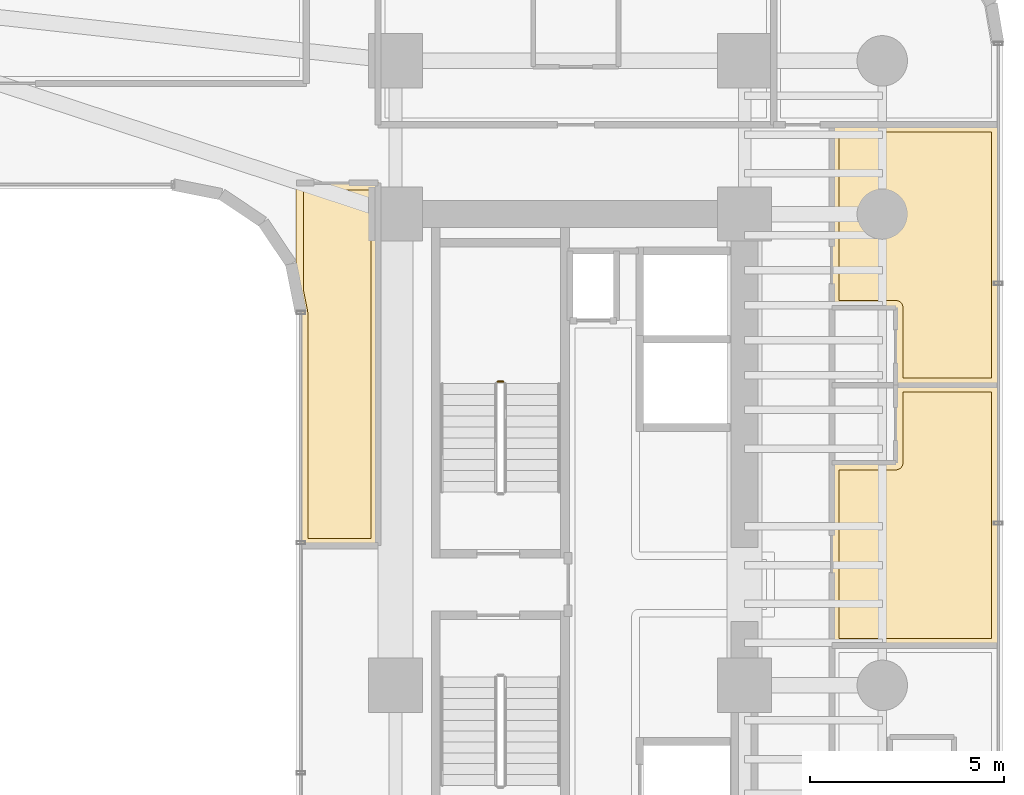
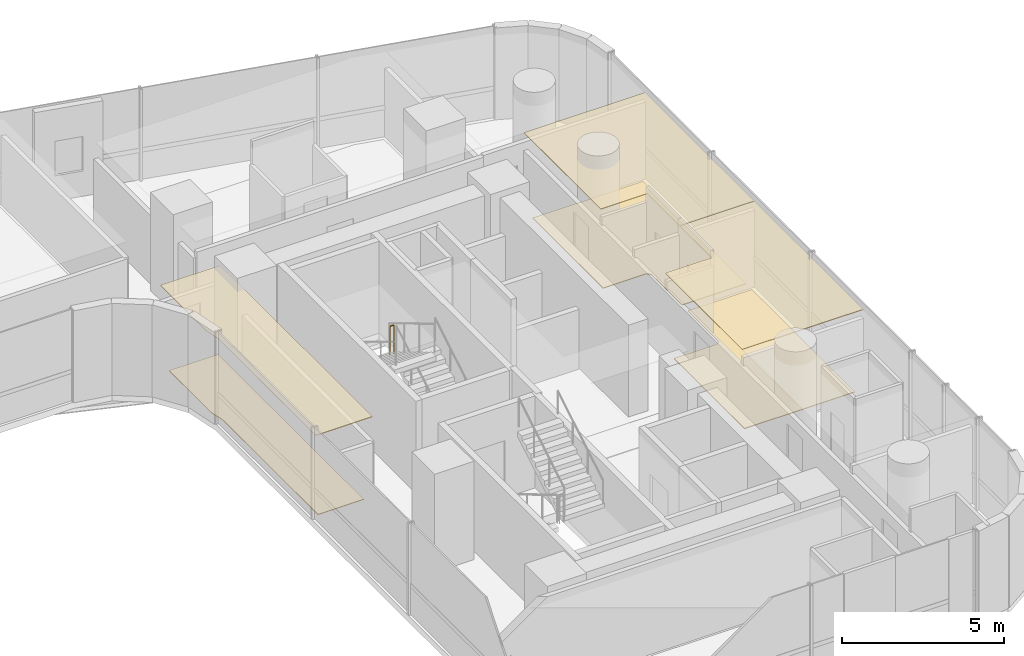
# One storey, part 40 of 41: 6 coverings, 1 railing.
"""IFC4 building model written with IfcOpenShell, lengths in metres."""

from ifc_helpers import new_model, si_unit, direction, frame, origin, origin_2d, place, context, subcontext, project, spatial, polyline, circle, outline, extrude, material, layer, layer_set, type_object, element, save


model = new_model("IFC4")

# Units and contexts
model_context = context("Model", 3, precision=1e-05, world=origin(), true_north=direction((0.0, 1.0)))
body_context = subcontext(model_context, "Body", "Model", "MODEL_VIEW")
ifc_project = project(units=[si_unit("LENGTHUNIT", "METRE"), si_unit("AREAUNIT", "SQUARE_METRE"), si_unit("VOLUMEUNIT", "CUBIC_METRE"), si_unit("PLANEANGLEUNIT", "RADIAN"), si_unit("MASSUNIT", "GRAM", prefix="KILO")], contexts=[model_context])

# Site, building, storey
site_placement = place(None, origin())
site = spatial("IfcSite", under=ifc_project, at=site_placement, CompositionType="ELEMENT")
building_placement = place(site_placement, origin())
building = spatial("IfcBuilding", under=site, at=building_placement, Name="Valdorenza Pilgrim Sanctuary Tower", CompositionType="ELEMENT")
storey_placement = place(building_placement, frame((0.0, 0.0, 63.0)))
storey = spatial("IfcBuildingStorey", under=building, at=storey_placement, Name="L15", CompositionType="ELEMENT", Elevation=63.0)

# Coverings
ifc_material_1 = material(Name="Micro-perforated acoustic mineral ceiling tile", Category="gypsum")
ifc_layer_1 = layer(ifc_material_1, 0.02490234375, Name="Micro-perforated acoustic mineral ceiling tile")
ifc_layer_set_1 = layer_set([ifc_layer_1], Name="Micro-perforated acoustic mineral ceiling tile")
covering_type_1 = type_object("IfcCoveringType", Name="COV-CLG-ACU", PredefinedType="CEILING", material=ifc_layer_set_1)
covering_1_placement = place(storey_placement, frame((0.0, 0.0, 3.159912109375)))
element("IfcCovering", 1, at=covering_1_placement, inside=storey, type_object=covering_type_1, Name="L15 East Sanctuary Guest Room L15-EG3 Acoustic Ceiling", PredefinedType="CEILING", context=body_context, shape_type="SweptSolid", body=[
    extrude(outline(polyline([(27.0849609375, 3.135986328125), (27.085205078125, 3.137451171875), (27.085205078125, 3.138916015625), (27.085693359375, 3.140380859375), (27.086181640625, 3.1416015625), (27.0869140625, 3.14306640625), (27.08740234375, 3.144287109375), (27.08837890625, 3.1455078125), (27.08935546875, 3.146484375), (27.090576171875, 3.147705078125), (27.091796875, 3.1484375), (27.093017578125, 3.149169921875), (27.09423828125, 3.14990234375), (27.095703125, 3.150390625), (27.09716796875, 3.150634765625), (27.098388671875, 3.15087890625), (27.10009765625, 3.15087890625), (28.737060546875, 3.15087890625), (28.737060546875, 5.137939453125), (28.737060546875, 5.139404296875), (28.7373046875, 5.140869140625), (28.737548828125, 5.142333984375), (28.738037109375, 5.143798828125), (28.73876953125, 5.14501953125), (28.739501953125, 5.146240234375), (28.740478515625, 5.1474609375), (28.741455078125, 5.148681640625), (28.742431640625, 5.149658203125), (28.74365234375, 5.150390625), (28.744873046875, 5.151123046875), (28.746337890625, 5.15185546875), (28.74755859375, 5.15234375), (28.7490234375, 5.152587890625), (28.75048828125, 5.15283203125), (28.751953125, 5.153076171875), (31.389892578125, 5.153076171875), (31.3916015625, 5.15283203125), (31.392822265625, 5.152587890625), (31.394287109375, 5.15234375), (31.395751953125, 5.15185546875), (31.397216796875, 5.151123046875), (31.398193359375, 5.150390625), (31.3994140625, 5.149658203125), (31.400634765625, 5.148681640625), (31.401611328125, 5.1474609375), (31.402587890625, 5.146240234375), (31.4033203125, 5.14501953125), (31.40380859375, 5.143798828125), (31.404296875, 5.142333984375), (31.40478515625, 5.140869140625), (31.40478515625, 5.139404296875), (31.405029296875, 5.137939453125), (31.405029296875, -1.572998046875), (31.40478515625, -1.574462890625), (31.40478515625, -1.575927734375), (31.404296875, -1.577392578125), (31.40380859375, -1.57861328125), (31.4033203125, -1.580078125), (31.402587890625, -1.581298828125), (31.401611328125, -1.58251953125), (31.400634765625, -1.58349609375), (31.3994140625, -1.584716796875), (31.398193359375, -1.58544921875), (31.397216796875, -1.586181640625), (31.395751953125, -1.5869140625), (31.394287109375, -1.58740234375), (31.392822265625, -1.587646484375), (31.3916015625, -1.587890625), (31.389892578125, -1.587890625), (27.10009765625, -1.587890625), (27.098388671875, -1.587890625), (27.09716796875, -1.587646484375), (27.095703125, -1.58740234375), (27.09423828125, -1.5869140625), (27.093017578125, -1.586181640625), (27.091796875, -1.58544921875), (27.090576171875, -1.584716796875), (27.08935546875, -1.58349609375), (27.08837890625, -1.58251953125), (27.08740234375, -1.581298828125), (27.0869140625, -1.580078125), (27.086181640625, -1.57861328125), (27.085693359375, -1.577392578125), (27.085205078125, -1.575927734375), (27.085205078125, -1.574462890625), (27.0849609375, -1.572998046875), (27.0849609375, 3.135986328125)])), origin(), (0.0, 0.0, 1.0), 0.025146484375),
])
covering_2_placement = place(storey_placement, frame((0.0, 0.0, 3.159912109375)))
element("IfcCovering", 2, at=covering_2_placement, inside=storey, type_object=covering_type_1, Name="L15 East Sanctuary Guest Room L15-EG4 Acoustic Ceiling", PredefinedType="CEILING", context=body_context, shape_type="SweptSolid", body=[
    extrude(outline(polyline([(28.737060546875, 7.125), (27.10009765625, 7.125), (27.098388671875, 7.125), (27.09716796875, 7.125244140625), (27.095703125, 7.12548828125), (27.09423828125, 7.126220703125), (27.093017578125, 7.126708984375), (27.091796875, 7.12744140625), (27.090576171875, 7.12841796875), (27.08935546875, 7.12939453125), (27.08837890625, 7.130615234375), (27.08740234375, 7.131591796875), (27.0869140625, 7.1328125), (27.086181640625, 7.13427734375), (27.085693359375, 7.135498046875), (27.085205078125, 7.13720703125), (27.085205078125, 7.138427734375), (27.0849609375, 7.139892578125), (27.0849609375, 11.847900390625), (27.085205078125, 11.849609375), (27.085205078125, 11.850830078125), (27.085693359375, 11.852294921875), (27.086181640625, 11.853759765625), (27.0869140625, 11.85498046875), (27.08740234375, 11.856201171875), (27.08837890625, 11.857421875), (27.08935546875, 11.858642578125), (27.090576171875, 11.859619140625), (27.091796875, 11.860595703125), (27.093017578125, 11.861083984375), (27.09423828125, 11.86181640625), (27.095703125, 11.8623046875), (27.09716796875, 11.86279296875), (27.098388671875, 11.86279296875), (27.10009765625, 11.863037109375), (31.389892578125, 11.863037109375), (31.3916015625, 11.86279296875), (31.392822265625, 11.86279296875), (31.394287109375, 11.8623046875), (31.395751953125, 11.86181640625), (31.397216796875, 11.861083984375), (31.398193359375, 11.860595703125), (31.3994140625, 11.859619140625), (31.400634765625, 11.858642578125), (31.401611328125, 11.857421875), (31.402587890625, 11.856201171875), (31.4033203125, 11.85498046875), (31.40380859375, 11.853759765625), (31.404296875, 11.852294921875), (31.40478515625, 11.850830078125), (31.40478515625, 11.849609375), (31.405029296875, 11.847900390625), (31.405029296875, 5.139892578125), (31.40478515625, 5.138427734375), (31.40478515625, 5.13720703125), (31.404296875, 5.135498046875), (31.40380859375, 5.13427734375), (31.4033203125, 5.1328125), (31.402587890625, 5.131591796875), (31.401611328125, 5.130615234375), (31.400634765625, 5.12939453125), (31.3994140625, 5.12841796875), (31.398193359375, 5.12744140625), (31.397216796875, 5.126708984375), (31.395751953125, 5.126220703125), (31.394287109375, 5.12548828125), (31.392822265625, 5.125244140625), (31.3916015625, 5.125), (31.389892578125, 5.125), (28.751953125, 5.125), (28.75048828125, 5.125), (28.7490234375, 5.125244140625), (28.74755859375, 5.12548828125), (28.746337890625, 5.126220703125), (28.744873046875, 5.126708984375), (28.74365234375, 5.12744140625), (28.742431640625, 5.12841796875), (28.741455078125, 5.12939453125), (28.740478515625, 5.130615234375), (28.739501953125, 5.131591796875), (28.73876953125, 5.1328125), (28.738037109375, 5.13427734375), (28.737548828125, 5.135498046875), (28.7373046875, 5.13720703125), (28.737060546875, 5.138427734375), (28.737060546875, 5.139892578125), (28.737060546875, 7.125)])), origin(), (0.0, 0.0, 1.0), 0.025146484375),
])
covering_3_placement = place(storey_placement, frame((0.0, 0.0, 3.159912109375)))
element("IfcCovering", 3, at=covering_3_placement, inside=storey, type_object=covering_type_1, Name="L15 Courtyard Overlook Salon L15 Acoustic Ceiling", PredefinedType="CEILING", context=body_context, shape_type="SweptSolid", body=[
    extrude(outline(polyline([(15.39990234375, 10.364990234375), (15.401611328125, 10.364990234375), (15.40283203125, 10.36474609375), (15.404296875, 10.364501953125), (15.40576171875, 10.364013671875), (15.406982421875, 10.36328125), (15.408203125, 10.362548828125), (15.409423828125, 10.361572265625), (15.41064453125, 10.360595703125), (15.41162109375, 10.359619140625), (15.41259765625, 10.3583984375), (15.4130859375, 10.357177734375), (15.413818359375, 10.355712890625), (15.414306640625, 10.3544921875), (15.414794921875, 10.352783203125), (15.414794921875, 10.3515625), (15.4150390625, 10.35009765625), (15.4150390625, 1.0), (15.414794921875, 0.99853515625), (15.414794921875, 0.9970703125), (15.414306640625, 0.99560546875), (15.413818359375, 0.994384765625), (15.4130859375, 0.992919921875), (15.41259765625, 0.99169921875), (15.41162109375, 0.990478515625), (15.41064453125, 0.989501953125), (15.409423828125, 0.98828125), (15.408203125, 0.987548828125), (15.406982421875, 0.98681640625), (15.40576171875, 0.986083984375), (15.404296875, 0.985595703125), (15.40283203125, 0.9853515625), (15.401611328125, 0.985107421875), (15.39990234375, 0.985107421875), (13.409912109375, 0.985107421875), (13.408447265625, 0.985107421875), (13.406982421875, 0.9853515625), (13.405517578125, 0.985595703125), (13.404296875, 0.986083984375), (13.40283203125, 0.98681640625), (13.401611328125, 0.987548828125), (13.400390625, 0.98828125), (13.3994140625, 0.989501953125), (13.3984375, 0.990478515625), (13.3974609375, 0.99169921875), (13.396728515625, 0.992919921875), (13.39599609375, 0.994384765625), (13.3955078125, 0.99560546875), (13.395263671875, 0.9970703125), (13.39501953125, 0.99853515625), (13.39501953125, 1.0), (13.39501953125, 6.99951171875), (13.39453125, 7.00927734375), (13.39306640625, 7.018798828125), (13.285400390625, 7.560791015625), (13.28515625, 7.562255859375), (13.284912109375, 7.563720703125), (13.284912109375, 10.35009765625), (13.28515625, 10.3515625), (13.285400390625, 10.352783203125), (13.28564453125, 10.3544921875), (13.2861328125, 10.355712890625), (13.286865234375, 10.357177734375), (13.28759765625, 10.3583984375), (13.288330078125, 10.359619140625), (13.289306640625, 10.360595703125), (13.29052734375, 10.361572265625), (13.291748046875, 10.362548828125), (13.29296875, 10.36328125), (13.294189453125, 10.364013671875), (13.295654296875, 10.364501953125), (13.297119140625, 10.36474609375), (13.298583984375, 10.364990234375), (13.300048828125, 10.364990234375), (15.39990234375, 10.364990234375)])), origin(), (0.0, 0.0, 1.0), 0.025146484375),
])
ifc_material_2 = material(Name="Engineered European oak timber flooring", Category="wood")
ifc_layer_2 = layer(ifc_material_2, 0.02197265625, Name="Engineered European oak timber flooring")
ifc_layer_set_2 = layer_set([ifc_layer_2], Name="Engineered European oak timber flooring")
covering_type_2 = type_object("IfcCoveringType", Name="COV-FLR-OAK", PredefinedType="FLOORING", material=ifc_layer_set_2)
covering_4_placement = place(storey_placement, origin())
element("IfcCovering", 4, at=covering_4_placement, inside=storey, type_object=covering_type_2, Name="L15 East Sanctuary Guest Room L15-EG3 Flooring", PredefinedType="FLOORING", context=body_context, shape_type="SweptSolid", body=[
    extrude(outline(polyline([(27.280029296875, 2.9560546875), (28.75, 2.9560546875), (28.7587890625, 2.956298828125), (28.759033203125, 2.956298828125), (28.776611328125, 2.9580078125), (28.77685546875, 2.9580078125), (28.794189453125, 2.96142578125), (28.794189453125, 2.96142578125), (28.811279296875, 2.966552734375), (28.811279296875, 2.966796875), (28.82763671875, 2.973388671875), (28.827880859375, 2.973388671875), (28.843505859375, 2.981689453125), (28.843505859375, 2.98193359375), (28.8583984375, 2.99169921875), (28.8583984375, 2.991943359375), (28.8720703125, 3.003173828125), (28.872314453125, 3.003173828125), (28.884765625, 3.015625), (28.885009765625, 3.015869140625), (28.89599609375, 3.029541015625), (28.896240234375, 3.02978515625), (28.906005859375, 3.04443359375), (28.90625, 3.04443359375), (28.91455078125, 3.06005859375), (28.91455078125, 3.060302734375), (28.92138671875, 3.07666015625), (28.92138671875, 3.076904296875), (28.926513671875, 3.09375), (28.926513671875, 3.093994140625), (28.929931640625, 3.111083984375), (28.929931640625, 3.111328125), (28.931884765625, 3.12890625), (28.931884765625, 3.129150390625), (28.931884765625, 3.137939453125), (28.931884765625, 4.9580078125), (31.2099609375, 4.9580078125), (31.2099609375, -1.39306640625), (27.280029296875, -1.39306640625), (27.280029296875, 2.9560546875)])), origin(), (0.0, 0.0, 1.0), 0.02490234375),
])
covering_5_placement = place(storey_placement, origin())
element("IfcCovering", 5, at=covering_5_placement, inside=storey, type_object=covering_type_2, Name="L15 East Sanctuary Guest Room L15-EG4 Flooring", PredefinedType="FLOORING", context=body_context, shape_type="SweptSolid", body=[
    extrude(outline(polyline([(31.2099609375, 5.320068359375), (28.931884765625, 5.320068359375), (28.931884765625, 7.137939453125), (28.931884765625, 7.146728515625), (28.931884765625, 7.14697265625), (28.929931640625, 7.16455078125), (28.929931640625, 7.164794921875), (28.926513671875, 7.18212890625), (28.926513671875, 7.182373046875), (28.92138671875, 7.19921875), (28.92138671875, 7.199462890625), (28.91455078125, 7.2158203125), (28.91455078125, 7.2158203125), (28.90625, 7.2314453125), (28.906005859375, 7.231689453125), (28.896240234375, 7.246337890625), (28.89599609375, 7.24658203125), (28.885009765625, 7.260009765625), (28.884765625, 7.26025390625), (28.872314453125, 7.272705078125), (28.8720703125, 7.27294921875), (28.8583984375, 7.2841796875), (28.8583984375, 7.2841796875), (28.843505859375, 7.294189453125), (28.843505859375, 7.294189453125), (28.827880859375, 7.302490234375), (28.82763671875, 7.302490234375), (28.811279296875, 7.309326171875), (28.811279296875, 7.309326171875), (28.794189453125, 7.314453125), (28.794189453125, 7.314697265625), (28.77685546875, 7.318115234375), (28.776611328125, 7.318115234375), (28.759033203125, 7.31982421875), (28.7587890625, 7.31982421875), (28.75, 7.320068359375), (27.280029296875, 7.320068359375), (27.280029296875, 11.66796875), (31.2099609375, 11.66796875), (31.2099609375, 5.320068359375)])), origin(), (0.0, 0.0, 1.0), 0.02490234375),
])
ifc_material_3 = material(Name="Honed travertine stone flooring", Category="masonry")
ifc_layer_3 = layer(ifc_material_3, 0.030029296875, Name="Honed travertine stone flooring")
ifc_layer_set_3 = layer_set([ifc_layer_3], Name="Honed travertine stone flooring")
covering_type_3 = type_object("IfcCoveringType", Name="COV-FLR-TRV", PredefinedType="FLOORING", material=ifc_layer_set_3)
covering_6_placement = place(storey_placement, origin())
element("IfcCovering", 6, at=covering_6_placement, inside=storey, type_object=covering_type_3, Name="L15 Courtyard Overlook Salon L15 Flooring", PredefinedType="FLOORING", context=body_context, shape_type="SweptSolid", body=[
    extrude(outline(polyline([(15.219970703125, 10.169921875), (15.219970703125, 1.179931640625), (13.590087890625, 1.179931640625), (13.590087890625, 7.0), (13.58984375, 7.0087890625), (13.58935546875, 7.01953125), (13.58740234375, 7.037109375), (13.5859375, 7.0478515625), (13.58447265625, 7.056640625), (13.47998046875, 7.58154296875), (13.47998046875, 10.169921875), (15.219970703125, 10.169921875)])), origin(), (0.0, 0.0, 1.0), 0.02490234375),
])

# Railing
ifc_material_4 = material(Name="Stainless steel Grade 316", Category="steel")
railing_type = type_object("IfcRailingType", Name="RLG-GRD-1120", PredefinedType="GUARDRAIL", material=ifc_material_4)
railing_placement = place(storey_placement, frame((18.6298828125, 5.22998046875, 1.85009765625)))
element("IfcRailing", 7, at=railing_placement, inside=storey, type_object=railing_type, Name="L15 ST-B1 stair guard 2", PredefinedType="GUARDRAIL", context=body_context, shape_type="SweptSolid", body=[
    extrude(circle(Radius=0.02392578125, at=origin_2d()), frame((0.0, 0.0, 1.076171875), z_axis=(-1.0, 0.0, 0.0), x_axis=(0.0, -1.0, 0.0)), (0.0, 0.0, 1.0), 0.14990234375),
    extrude(circle(Radius=0.02099609375, at=origin_2d()), origin(), (0.0, 0.0, 1.0), 1.052001953125),
    extrude(circle(Radius=0.02099609375, at=origin_2d()), frame((-0.14990234375, 0.0, 0.0)), (0.0, 0.0, 1.0), 1.052001953125),
])

save(model, "model.ifc")
